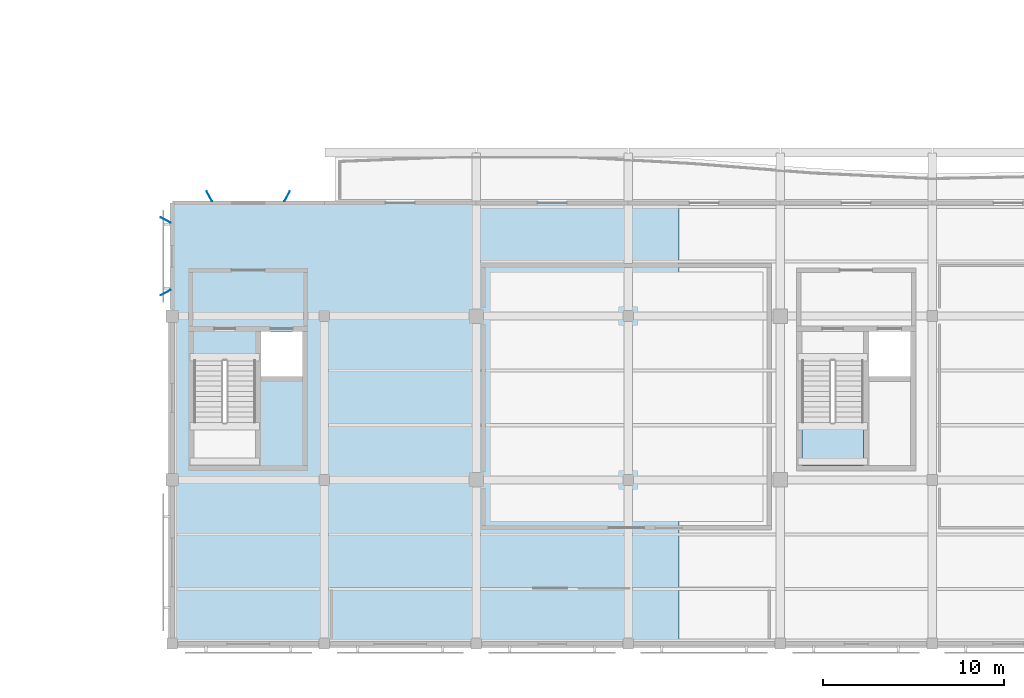
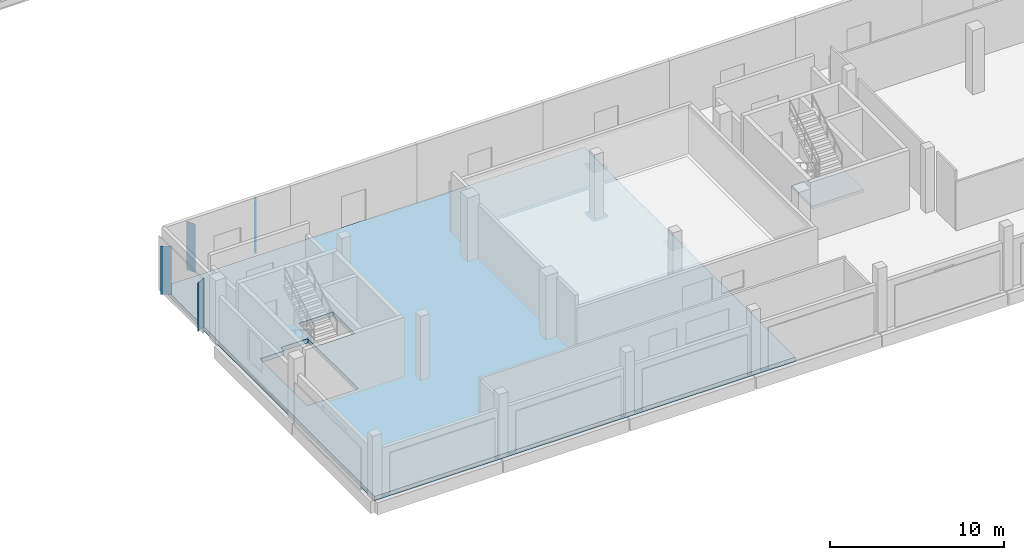
# One storey, part 5 of 34: 4 plates, 2 slabs, 1 element without a shape of its own.
"""IFC4 building model written with IfcOpenShell, lengths in metres."""

from ifc_helpers import new_model, si_unit, direction, frame, origin, origin_2d, place, context, subcontext, project, spatial, polyline, rectangle, outline, extrude, material, layer, layer_set, type_object, element, aggregate, save


model = new_model("IFC4")

# Units and contexts
model_context = context("Model", 3, precision=1e-05, world=origin(), true_north=direction((0.0, 1.0)))
body_context = subcontext(model_context, "Body", "Model", "MODEL_VIEW")
ifc_project = project(units=[si_unit("LENGTHUNIT", "METRE"), si_unit("AREAUNIT", "SQUARE_METRE"), si_unit("VOLUMEUNIT", "CUBIC_METRE"), si_unit("PLANEANGLEUNIT", "RADIAN"), si_unit("MASSUNIT", "GRAM", prefix="KILO")], contexts=[model_context])

# Site, building, storey
site_placement = place(None, origin())
site = spatial("IfcSite", under=ifc_project, at=site_placement, CompositionType="ELEMENT")
building_placement = place(site_placement, origin())
building = spatial("IfcBuilding", under=site, at=building_placement, Name="Khurvash Pelagic Aquarium", CompositionType="ELEMENT")
storey_placement = place(building_placement, frame((0.0, 0.0, 15.60009765625)))
storey = spatial("IfcBuildingStorey", under=building, at=storey_placement, Name="L03", CompositionType="ELEMENT", Elevation=15.60009765625)

# Slab
ifc_material_1 = material(Name="Concrete C40/50", Category="concrete")
ifc_layer_1 = layer(ifc_material_1, 0.300048828125)
ifc_layer_set_1 = layer_set([ifc_layer_1], Name="Concrete C40/50")
slab_type_1 = type_object("IfcSlabType", Name="FS-300", PredefinedType="FLOOR", material=ifc_layer_set_1)
slab_1_placement = place(storey_placement, frame((0.0, 0.0, -0.300048828125)))
element("IfcSlab", 1, at=slab_1_placement, inside=storey, type_object=slab_type_1, Name="L03 Structural Floor Slab FS-300 V3_SOUTH.1", PredefinedType="FLOOR", context=body_context, shape_type="SweptSolid", body=[
    extrude(outline(polyline([(25.199951171875, 2.60009765625), (53.199951171875, 2.60009765625), (53.199951171875, 26.949951171875), (25.199951171875, 26.949951171875), (25.199951171875, 2.60009765625)]), holes=[polyline([(28.0, 18.25), (29.800048828125, 18.25), (29.800048828125, 12.449951171875), (26.39990234375, 12.449951171875), (26.39990234375, 17.8701171875), (28.0, 17.8701171875), (28.0, 18.25)]), polyline([(32.39990234375, 17.35009765625), (30.10009765625, 17.35009765625), (30.10009765625, 19.85009765625), (32.39990234375, 19.85009765625), (32.39990234375, 17.35009765625)])]), origin(), (0.0, 0.0, 1.0), 0.300048828125),
])

# Stair, slab
ifc_material_2 = material(Name="Concrete C35/45", Category="concrete")
stair_type = type_object("IfcStairType", Name="ST-02", PredefinedType="HALF_TURN_STAIR", material=ifc_material_2)
stair_placement = place(storey_placement, origin())
stair = element("IfcStair", 2, at=stair_placement, inside=storey, type_object=stair_type, Name="L03 Protected Exit Stair ST-02", PredefinedType="HALF_TURN_STAIR")
ifc_layer_2 = layer(ifc_material_2, 0.199951171875)
ifc_layer_set_2 = layer_set([ifc_layer_2], Name="Concrete C35/45")
slab_type_2 = type_object("IfcSlabType", Name="SL-LND-200", PredefinedType="LANDING", material=ifc_layer_set_2)
slab_2_placement = place(storey_placement, frame((0.0, 0.0, 2.0498046875)))
slab_2 = element("IfcSlab", 3, at=slab_2_placement, type_object=slab_type_2, Name="ST-02 landing 1", PredefinedType="LANDING", context=body_context, shape_type="SweptSolid", body=[
    extrude(outline(polyline([(60.0, 14.830078125), (60.0, 12.449951171875), (63.39990234375, 12.449951171875), (63.39990234375, 14.830078125), (60.0, 14.830078125)])), origin(), (0.0, 0.0, 1.0), 0.2001953125),
])
aggregate(stair, [slab_2])

# Plates
ifc_material_3 = material(Name="Anodised aluminium AW-5005", Category="aluminium")
ifc_layer_3 = layer(ifc_material_3, 0.02392578125)
ifc_layer_set_3 = layer_set([ifc_layer_3], Name="Anodised aluminium AW-5005")
plate_type = type_object("IfcPlateType", Name="SP-01", PredefinedType="SHEET", material=ifc_layer_set_3)
for number, where, z_axis, x_axis, name in (
    (4, (31.550048828125, 27.318115234375, 0.14990234375), (0.0, 0.0, 1.0), (0.469471562786, 0.882947592859, 0.0), "L03 Parametric Folded Aluminium Solar Screen Fin SP-01 0067"),
    (5, (27.25, 27.318115234375, 0.14990234375), (0.0, 0.0, 1.0), (-0.469471562786, 0.882947592859, 0.0), "L03 Parametric Folded Aluminium Solar Screen Fin SP-01 0068"),
    (6, (24.83203125, 26.007080078125, 0.14990234375), (0.0, 0.0, 1.0), (-0.882947592859, 0.469471562786, 0.0), "L03 Parametric Folded Aluminium Solar Screen Fin SP-01 0069"),
    (7, (24.83203125, 21.998046875, 0.14990234375), (0.0, 0.0, 1.0), (-0.882947592859, -0.469471562786, 0.0), "L03 Parametric Folded Aluminium Solar Screen Fin SP-01 0070"),
):
    element("IfcPlate", number, at=place(storey_placement, frame(where, z_axis=z_axis, x_axis=x_axis)), inside=storey, type_object=plate_type, Name=name, PredefinedType="SHEET", context=body_context, shape_type="SweptSolid", body=[
        extrude(rectangle(XDim=0.6201171875, YDim=0.02392578125, at=origin_2d()), origin(), (0.0, 0.0, 1.0), 3.39990234375),
    ])

save(model, "model.ifc")
